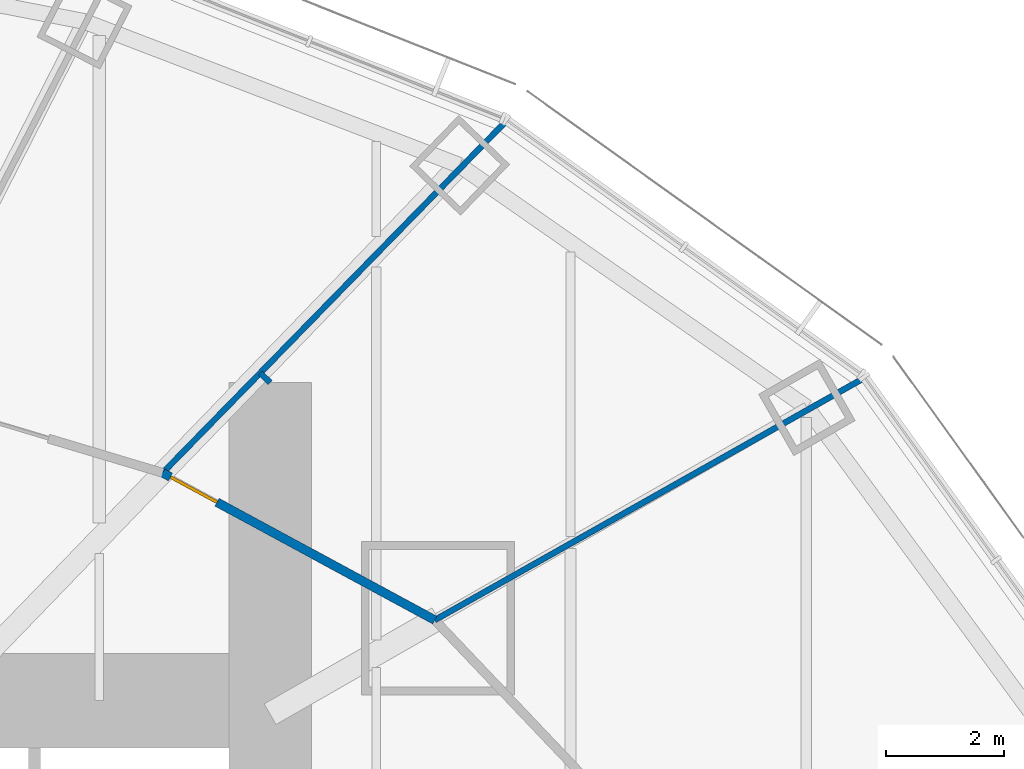
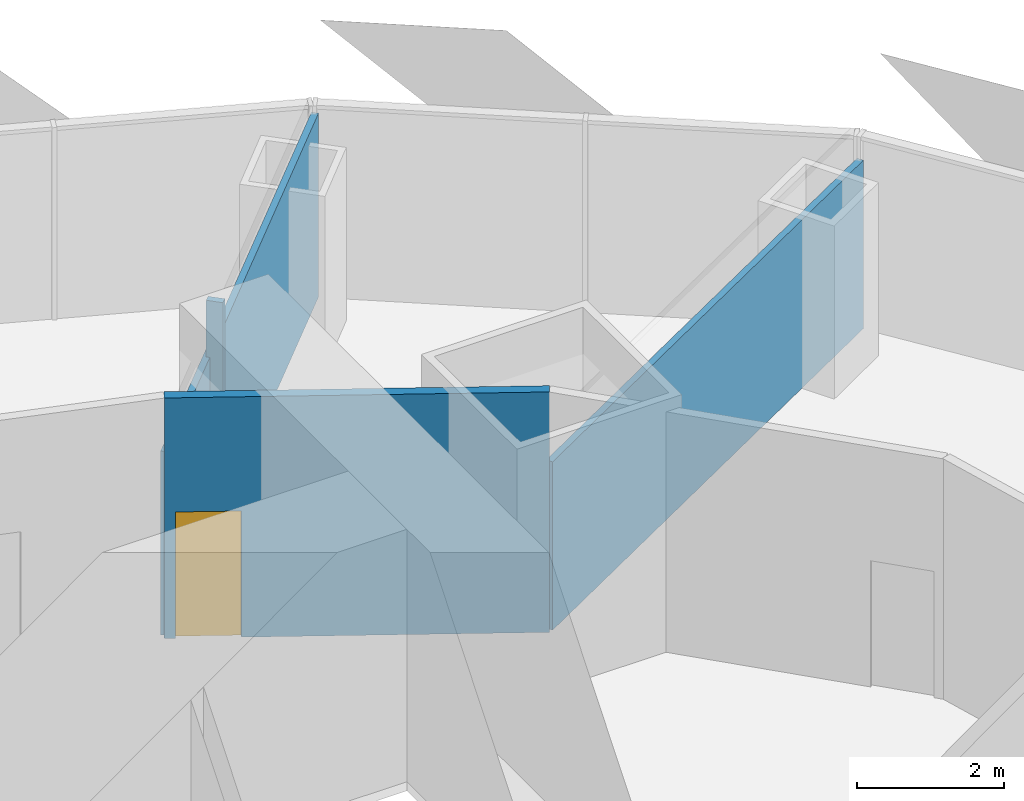
# One storey, part 13 of 18: 4 walls, 1 door, 1 opening.
"""IFC4 building model written with IfcOpenShell, lengths in metres."""

from ifc_helpers import new_model, si_unit, direction, frame, frame_2d, origin, place, context, subcontext, project, spatial, rectangle, extrude, material, layer, layer_set, type_object, element, fill, save


model = new_model("IFC4")

# Units and contexts
model_context = context("Model", 3, precision=1e-05, world=origin(), true_north=direction((0.0, 1.0)))
body_context = subcontext(model_context, "Body", "Model", "MODEL_VIEW")
ifc_project = project(units=[si_unit("LENGTHUNIT", "METRE"), si_unit("AREAUNIT", "SQUARE_METRE"), si_unit("VOLUMEUNIT", "CUBIC_METRE"), si_unit("PLANEANGLEUNIT", "RADIAN"), si_unit("MASSUNIT", "GRAM", prefix="KILO")], contexts=[model_context])

# Site, building, storey
site_placement = place(None, origin())
site = spatial("IfcSite", under=ifc_project, at=site_placement, CompositionType="ELEMENT")
building_placement = place(site_placement, origin())
building = spatial("IfcBuilding", under=site, at=building_placement, Name="Lantaw Convention Tower", CompositionType="ELEMENT")
storey_placement = place(building_placement, frame((0.0, 0.0, 188.800048828125)))
storey = spatial("IfcBuildingStorey", under=building, at=storey_placement, Name="L44", CompositionType="ELEMENT", Elevation=188.800048828125)

# Wall, opening, door
ifc_material_1 = material(Name="Gypsum board on steel studs, fire rated", Category="steel")
ifc_layer_1 = layer(ifc_material_1, 0.14990234375)
ifc_layer_set_1 = layer_set([ifc_layer_1], Name="Corridor wall 150 EI 60")
wall_type_1 = type_object("IfcWallType", Name="Corridor wall 150 EI 60", PredefinedType="PARTITIONING", material=ifc_layer_set_1)
wall_1_placement = place(storey_placement, frame((15.695556640625, 8.968994140625, 0.0), z_axis=(0.0, 0.0, 1.0), x_axis=(-0.879436285334, 0.476016617397, 0.0)))
wall_1 = element("IfcWall", 1, at=wall_1_placement, inside=storey, type_object=wall_type_1, Name="Corridor wall 150", PredefinedType="PARTITIONING", context=body_context, shape_type="SweptSolid", body=[
    extrude(rectangle(XDim=5.2529296875, YDim=0.14990234375, at=frame_2d((2.62646484375, 0.0))), origin(), (0.0, 0.0, 1.0), 4.0),
])
opening_placement = place(wall_1_placement, frame((4.202880859375, 0.0, 0.0)))
opening = element("IfcOpeningElement", 2, at=opening_placement, cuts=wall_1, Name="Opening L44.23", PredefinedType="OPENING", context=body_context, shape_type="SweptSolid", body=[
    extrude(rectangle(XDim=0.89990234375, YDim=2.10009765625, at=frame_2d((0.449951171875, 1.050048828125))), frame((0.0, 0.0849609375, 0.0), z_axis=(0.0, -1.0, 0.0), x_axis=(1.0, 0.0, 0.0)), (0.0, 0.0, 1.0), 0.169921875),
])
ifc_material_2 = material(Name="Steel, fire rated", Category="steel")
door_type = type_object("IfcDoorType", Name="Office door 900 FD30", OperationType="SINGLE_SWING_LEFT", PredefinedType="DOOR", material=ifc_material_2)
door_placement = place(opening_placement, origin())
door = element("IfcDoor", 3, at=door_placement, inside=storey, type_object=door_type, Name="Meeting room door", OperationType="SINGLE_SWING_LEFT", OverallHeight=2.10009765625, OverallWidth=0.89990234375, PredefinedType="DOOR", context=body_context, shape_type="SweptSolid", body=[
    extrude(rectangle(XDim=0.89990234375, YDim=2.10009765625, at=frame_2d((0.449951171875, 1.050048828125))), frame((0.0, 0.02490234375, 0.0), z_axis=(0.0, -1.0, 0.0), x_axis=(1.0, 0.0, 0.0)), (0.0, 0.0, 1.0), 0.050048828125),
])
fill(opening, door)

# Walls
ifc_material_3 = material(Name="Gypsum board on steel studs, acoustic", Category="steel")
ifc_layer_2 = layer(ifc_material_3, 0.10009765625)
ifc_layer_set_2 = layer_set([ifc_layer_2], Name="Office partition 100")
wall_type_2 = type_object("IfcWallType", Name="Office partition 100", PredefinedType="PARTITIONING", material=ifc_layer_set_2)
wall_2_placement = place(storey_placement, frame((22.94921875, 13.058837890625, 0.0), z_axis=(0.0, 0.0, 1.0), x_axis=(-0.871079462611, -0.491142107558, 0.0)))
element("IfcWall", 4, at=wall_2_placement, inside=storey, type_object=wall_type_2, Name="Office partition 100", PredefinedType="PARTITIONING", context=body_context, shape_type="SweptSolid", body=[
    extrude(rectangle(XDim=8.3271484375, YDim=0.10009765625, at=frame_2d((4.16357421875, 0.0))), origin(), (0.0, 0.0, 1.0), 2.800048828125),
])
wall_3_placement = place(storey_placement, frame((16.88232421875, 17.413818359375, 0.0), z_axis=(0.0, 0.0, 1.0), x_axis=(-0.698758056249, -0.715358077348, 0.0)))
element("IfcWall", 5, at=wall_3_placement, inside=storey, type_object=wall_type_2, Name="Office partition 100", PredefinedType="PARTITIONING", context=body_context, shape_type="SweptSolid", body=[
    extrude(rectangle(XDim=8.3095703125, YDim=0.10009765625, at=frame_2d((4.15478515625, 0.0))), origin(), (0.0, 0.0, 1.0), 3.0576171875),
])
wall_4_placement = place(storey_placement, frame((12.89990234375, 13.0, 0.0), z_axis=(0.0, 0.0, 1.0), x_axis=(-0.714845300066, 0.699282630253, 0.0)))
element("IfcWall", 6, at=wall_4_placement, inside=storey, type_object=wall_type_2, Name="Office partition 100", PredefinedType="PARTITIONING", context=body_context, shape_type="SweptSolid", body=[
    extrude(rectangle(XDim=0.2353515625, YDim=0.10009765625, at=frame_2d((0.11767578125, 0.0))), origin(), (0.0, 0.0, 1.0), 4.0),
])

save(model, "model.ifc")
